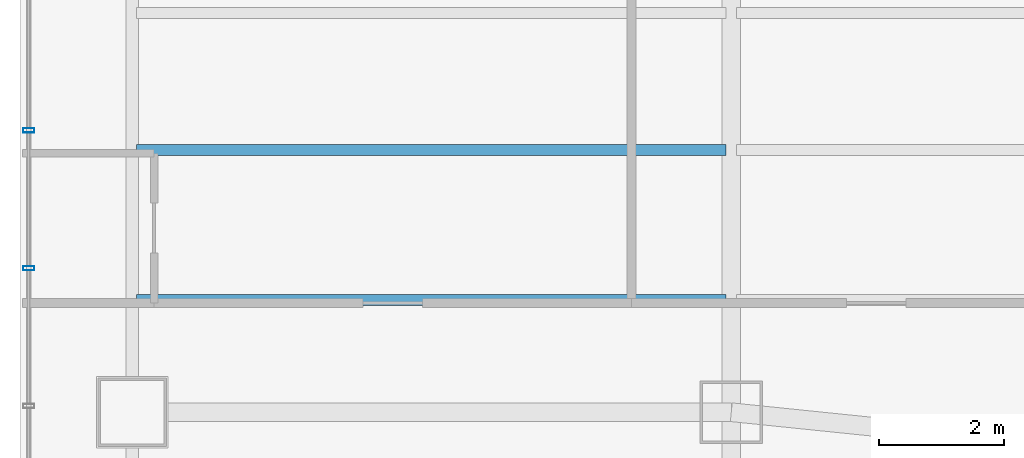
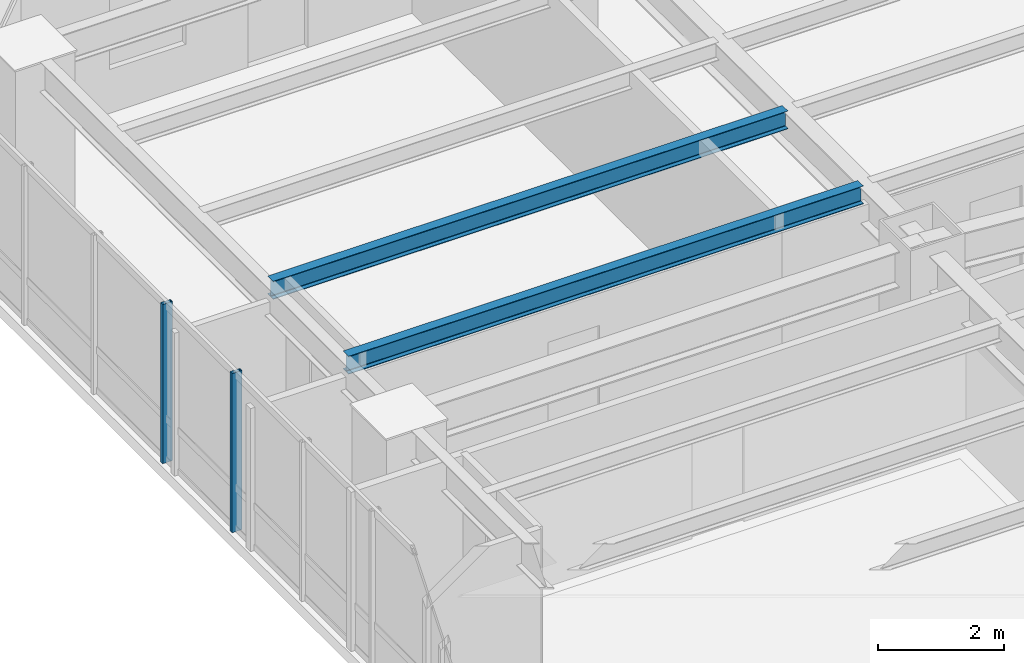
# One storey, part 20 of 39: 2 beams, 2 members, 1 element without a shape of its own.
"""IFC4 building model written with IfcOpenShell, lengths in metres."""

from ifc_helpers import new_model, si_unit, direction, frame, origin, origin_2d, place, context, subcontext, project, spatial, hollow_rectangle, i_section, extrude, material, layer, layer_set, material_profile, profile_set, type_object, element, aggregate, save


model = new_model("IFC4")

# Units and contexts
model_context = context("Model", 3, precision=1e-05, world=origin(), true_north=direction((0.0, 1.0)))
body_context = subcontext(model_context, "Body", "Model", "MODEL_VIEW")
ifc_project = project(units=[si_unit("LENGTHUNIT", "METRE"), si_unit("AREAUNIT", "SQUARE_METRE"), si_unit("VOLUMEUNIT", "CUBIC_METRE"), si_unit("PLANEANGLEUNIT", "RADIAN"), si_unit("MASSUNIT", "GRAM", prefix="KILO")], contexts=[model_context])

# Site, building, storey
site_placement = place(None, origin())
site = spatial("IfcSite", under=ifc_project, at=site_placement, CompositionType="ELEMENT")
building_placement = place(site_placement, origin())
building = spatial("IfcBuilding", under=site, at=building_placement, Name="Hatsunagi Terrace Concourse", CompositionType="ELEMENT")
storey_placement = place(building_placement, frame((0.0, 0.0, 66.75)))
storey = spatial("IfcBuildingStorey", under=building, at=storey_placement, Name="L17", CompositionType="ELEMENT", Elevation=66.75)

# Curtain wall, members
ifc_material_1 = material(Name="Anodised Aluminium Alloy 6063-T5", Category="aluminium")
ifc_layer = layer(ifc_material_1, 0.199951171875)
ifc_layer_set = layer_set([ifc_layer], Name="HotelFacade_CW02")
curtain_wall_type = type_object("IfcCurtainWallType", Name="HotelFacade_CW02", PredefinedType="NOTDEFINED", material=ifc_layer_set)
curtain_wall_placement = place(storey_placement, origin())
curtain_wall = element("IfcCurtainWall", 1, at=curtain_wall_placement, inside=storey, type_object=curtain_wall_type, Name="Unitised Curtain Wall CW-02 CW-L17-09", PredefinedType="NOTDEFINED")
ifc_material_2 = material(Name="Anodised Aluminium Alloy 6063-T5", Category="aluminium")
ifc_material_profile_1 = material_profile(ifc_material_2, hollow_rectangle(XDim=0.070068359375, YDim=0.179931640625, WallThickness=0.00390625, at=origin_2d()), Name="ALU-MUL-180x70x4")
ifc_profile_set_1 = profile_set([ifc_material_profile_1], Name="Anodised Aluminium Alloy 6063-T5")
member_type = type_object("IfcMemberType", Name="CurtainWallMullion_180x70", PredefinedType="MULLION", material=ifc_profile_set_1)
member_1_placement = place(storey_placement, frame((0.139892578125, 39.10791015625, 0.0), z_axis=(0.0, 0.0, 1.0), x_axis=(0.0, 1.0, 0.0)))
member_1 = element("IfcMember", 2, at=member_1_placement, type_object=member_type, Name="Curtain Wall Mullion MUL-02", PredefinedType="MULLION", context=body_context, shape_type="SweptSolid", body=[
    extrude(hollow_rectangle(XDim=0.070068359375, YDim=0.179931640625, WallThickness=0.00390625, at=origin_2d()), origin(), (0.0, 0.0, 1.0), 3.090087890625),
])
member_2_placement = place(storey_placement, frame((0.139892578125, 41.31689453125, 0.0), z_axis=(0.0, 0.0, 1.0), x_axis=(0.0, 1.0, 0.0)))
member_2 = element("IfcMember", 3, at=member_2_placement, type_object=member_type, Name="Curtain Wall Mullion MUL-02", PredefinedType="MULLION", context=body_context, shape_type="SweptSolid", body=[
    extrude(hollow_rectangle(XDim=0.070068359375, YDim=0.179931640625, WallThickness=0.00390625, at=origin_2d()), origin(), (0.0, 0.0, 1.0), 3.090087890625),
])
aggregate(curtain_wall, [member_1, member_2])

# Beams
ifc_material_3 = material(Name="Steel SN490B", Category="steel")
ifc_material_profile_2 = material_profile(ifc_material_3, i_section(OverallWidth=0.175048828125, OverallDepth=0.35009765625, WebThickness=0.007080078125, FlangeThickness=0.010986328125, FilletRadius=0.012939453125, at=origin_2d()), Name="H-350x175x7x11")
ifc_profile_set_2 = profile_set([ifc_material_profile_2], Name="Steel SN490B")
beam_type = type_object("IfcBeamType", Name="HotelJoist_H_350x175", PredefinedType="JOIST", material=ifc_profile_set_2)
for number, where, z_axis, x_axis, name in (
    (4, (1.864990234375, 38.60009765625, 2.955078125), (1.0, 0.0, 0.0), (0.0, 1.0, 0.0), "Beam J-02 J-L17-W-1-386"),
    (5, (1.864990234375, 41.0, 2.955078125), (1.0, 0.0, 0.0), (0.0, 1.0, 0.0), "Beam J-02 J-L17-W-1-410"),
):
    element("IfcBeam", number, at=place(storey_placement, frame(where, z_axis=z_axis, x_axis=x_axis)), inside=storey, type_object=beam_type, Name=name, PredefinedType="JOIST", context=body_context, shape_type="SweptSolid", body=[
        extrude(i_section(OverallWidth=0.175048828125, OverallDepth=0.35009765625, WebThickness=0.007080078125, FlangeThickness=0.010986328125, FilletRadius=0.012939453125, at=origin_2d()), origin(), (0.0, 0.0, 1.0), 9.449951171875),
    ])

save(model, "model.ifc")
